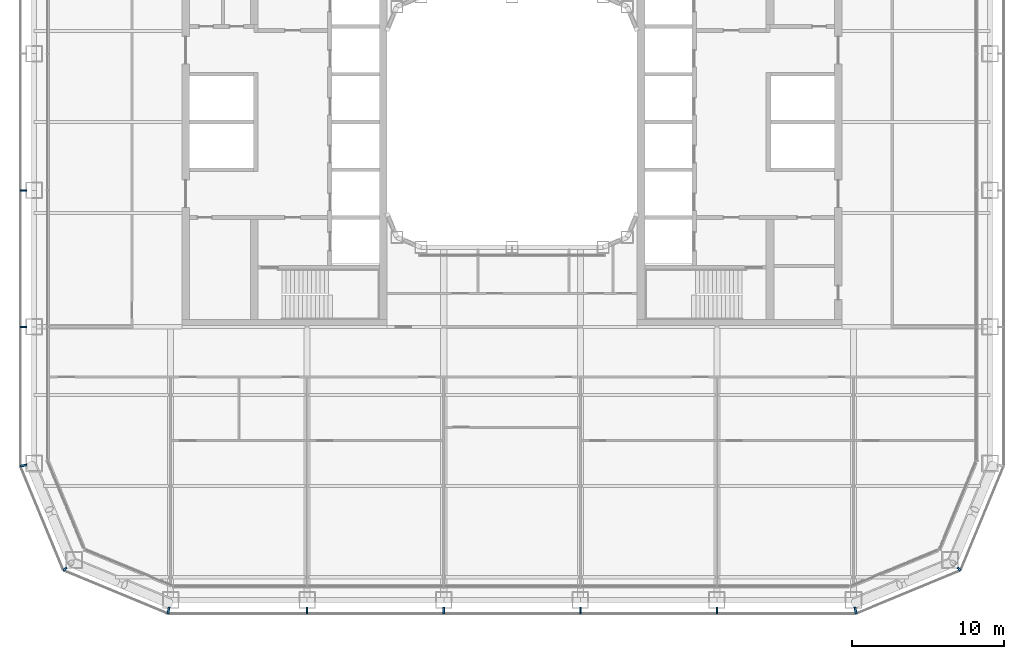
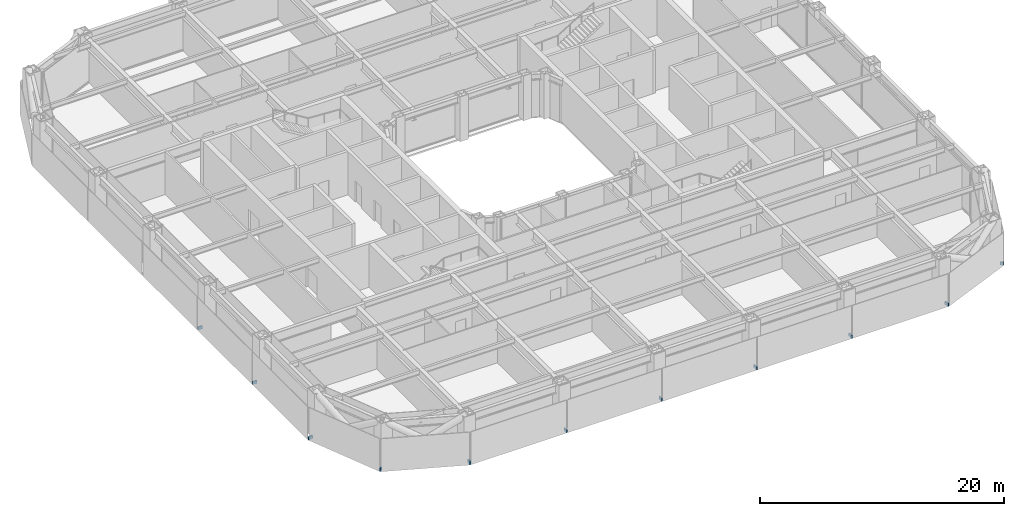
# One storey, part 16 of 24: 11 discrete accessories.
"""IFC4 building model written with IfcOpenShell, lengths in metres."""

from ifc_helpers import new_model, si_unit, direction, frame, origin, origin_2d, place, context, subcontext, project, spatial, rectangle, extrude, material, type_object, element, save


model = new_model("IFC4")

# Units and contexts
model_context = context("Model", 3, precision=1e-05, world=origin(), true_north=direction((0.0, 1.0)))
body_context = subcontext(model_context, "Body", "Model", "MODEL_VIEW")
ifc_project = project(units=[si_unit("LENGTHUNIT", "METRE"), si_unit("AREAUNIT", "SQUARE_METRE"), si_unit("VOLUMEUNIT", "CUBIC_METRE"), si_unit("PLANEANGLEUNIT", "RADIAN"), si_unit("MASSUNIT", "GRAM", prefix="KILO")], contexts=[model_context])

# Site, building, storey
site_placement = place(None, origin())
site = spatial("IfcSite", under=ifc_project, at=site_placement, CompositionType="ELEMENT")
building_placement = place(site_placement, origin())
building = spatial("IfcBuilding", under=site, at=building_placement, Name="Siwar Civic Tower", CompositionType="ELEMENT")
storey_placement = place(building_placement, frame((0.0, 0.0, 40.199951171875)))
storey = spatial("IfcBuildingStorey", under=building, at=storey_placement, Name="L08", CompositionType="ELEMENT", Elevation=40.199951171875)

# Discrete accessories
ifc_material = material(Name="Stainless steel 316", Category="steel")
discrete_accessory_type = type_object("IfcDiscreteAccessoryType", Name="ENV-BRACKET", PredefinedType="BRACKET", material=ifc_material)
for number, where, z_axis, x_axis, name in (
    (1, (-13.5, -32.18994140625, -0.14990234375), (0.0, 0.0, 1.0), (0.0, -1.0, 0.0), "Bracket outer skin joint S-01"),
    (2, (-4.5, -32.18994140625, -0.14990234375), (0.0, 0.0, 1.0), (0.0, -1.0, 0.0), "Bracket outer skin joint S-02"),
    (3, (4.5, -32.18994140625, -0.14990234375), (0.0, 0.0, 1.0), (0.0, -1.0, 0.0), "Bracket outer skin joint S-03"),
    (4, (13.5, -32.18994140625, -0.14990234375), (0.0, 0.0, 1.0), (0.0, -1.0, 0.0), "Bracket outer skin joint S-04"),
):
    element("IfcDiscreteAccessory", number, at=place(storey_placement, frame(where, z_axis=z_axis, x_axis=x_axis)), inside=storey, type_object=discrete_accessory_type, Name=name, PredefinedType="BRACKET", context=body_context, shape_type="SweptSolid", body=[
        extrude(rectangle(XDim=0.419921875, YDim=0.10009765625, at=origin_2d()), origin(), (0.0, 0.0, 1.0), 0.300048828125),
    ])
for number, where, z_axis, x_axis, name in (
    (5, (-22.63720703125, -32.190185546875, -0.14990234375), (0.0, 0.0, 1.0), (-0.195090322016, -0.980785280403, 0.0), "Bracket outer skin joint V00"),
    (6, (22.63720703125, -32.190185546875, -0.14990234375), (0.0, 0.0, 1.0), (0.195090322016, -0.980785280403, 0.0), "Bracket outer skin joint V01"),
):
    element("IfcDiscreteAccessory", number, at=place(storey_placement, frame(where, z_axis=z_axis, x_axis=x_axis)), inside=storey, type_object=discrete_accessory_type, Name=name, PredefinedType="BRACKET", context=body_context, shape_type="SweptSolid", body=[
        extrude(rectangle(XDim=0.427734375, YDim=0.13720703125, at=origin_2d()), origin(), (0.0, 0.0, 1.0), 0.300048828125),
    ])
discrete_accessory_1_placement = place(storey_placement, frame((29.451416015625, -29.451416015625, -0.14990234375), z_axis=(0.0, 0.0, 1.0), x_axis=(0.707106781187, -0.707106781187, 0.0)))
element("IfcDiscreteAccessory", 7, at=discrete_accessory_1_placement, inside=storey, type_object=discrete_accessory_type, Name="Bracket outer skin joint V02", PredefinedType="BRACKET", context=body_context, shape_type="SweptSolid", body=[
    extrude(rectangle(XDim=0.287109375, YDim=0.12939453125, at=origin_2d()), origin(), (0.0, 0.0, 1.0), 0.300048828125),
])
discrete_accessory_2_placement = place(storey_placement, frame((-32.190185546875, -22.63720703125, -0.14990234375), z_axis=(0.0, 0.0, 1.0), x_axis=(-0.980785280403, -0.195090322016, 0.0)))
element("IfcDiscreteAccessory", 8, at=discrete_accessory_2_placement, inside=storey, type_object=discrete_accessory_type, Name="Bracket outer skin joint V10", PredefinedType="BRACKET", context=body_context, shape_type="SweptSolid", body=[
    extrude(rectangle(XDim=0.427734375, YDim=0.13720703125, at=origin_2d()), origin(), (0.0, 0.0, 1.0), 0.300048828125),
])
discrete_accessory_3_placement = place(storey_placement, frame((-29.451416015625, -29.451416015625, -0.14990234375), z_axis=(0.0, 0.0, 1.0), x_axis=(-0.707106781187, -0.707106781187, 0.0)))
element("IfcDiscreteAccessory", 9, at=discrete_accessory_3_placement, inside=storey, type_object=discrete_accessory_type, Name="Bracket outer skin joint V11", PredefinedType="BRACKET", context=body_context, shape_type="SweptSolid", body=[
    extrude(rectangle(XDim=0.287109375, YDim=0.12939453125, at=origin_2d()), origin(), (0.0, 0.0, 1.0), 0.300048828125),
])
for number, where, z_axis, x_axis, name in (
    (10, (-32.18994140625, -4.5, -0.14990234375), (0.0, 0.0, 1.0), (-1.0, 0.0, 0.0), "Bracket outer skin joint W-03"),
    (11, (-32.18994140625, -13.5, -0.14990234375), (0.0, 0.0, 1.0), (-1.0, 0.0, 0.0), "Bracket outer skin joint W-04"),
):
    element("IfcDiscreteAccessory", number, at=place(storey_placement, frame(where, z_axis=z_axis, x_axis=x_axis)), inside=storey, type_object=discrete_accessory_type, Name=name, PredefinedType="BRACKET", context=body_context, shape_type="SweptSolid", body=[
        extrude(rectangle(XDim=0.419921875, YDim=0.10009765625, at=origin_2d()), origin(), (0.0, 0.0, 1.0), 0.300048828125),
    ])

save(model, "model.ifc")
